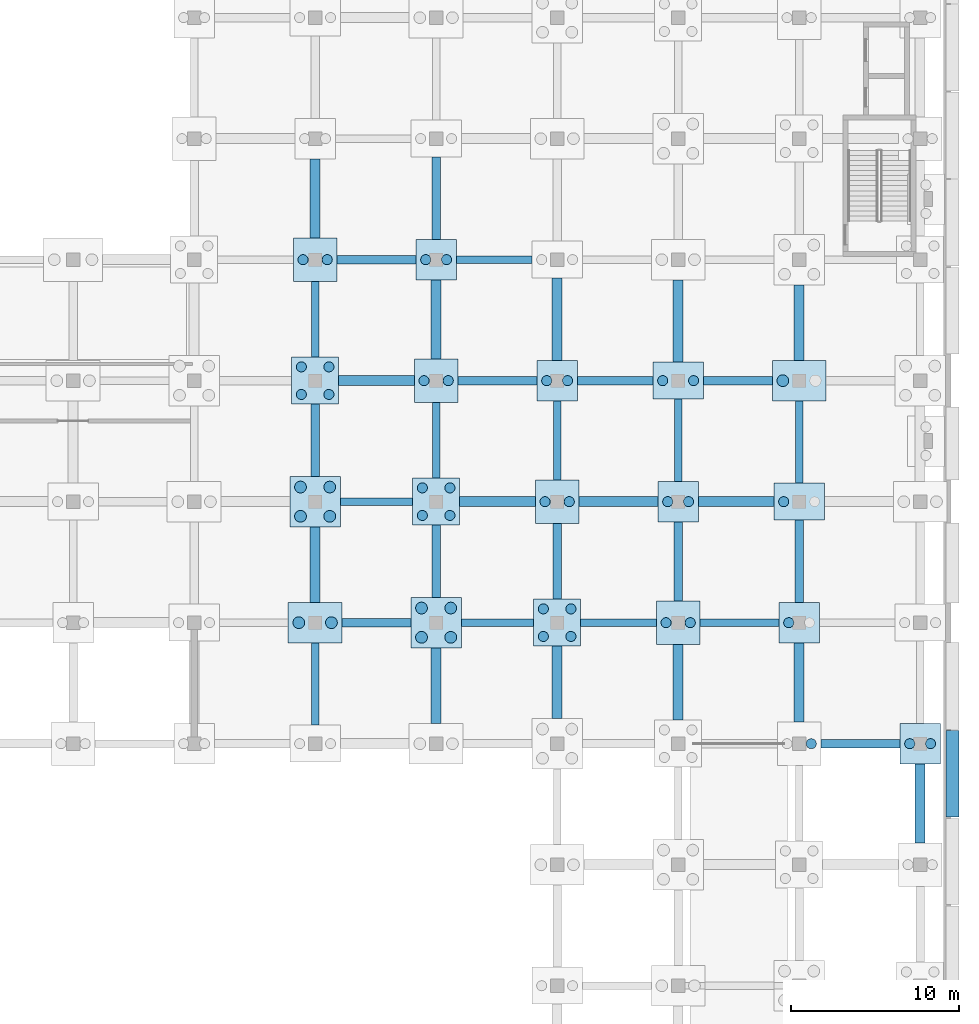
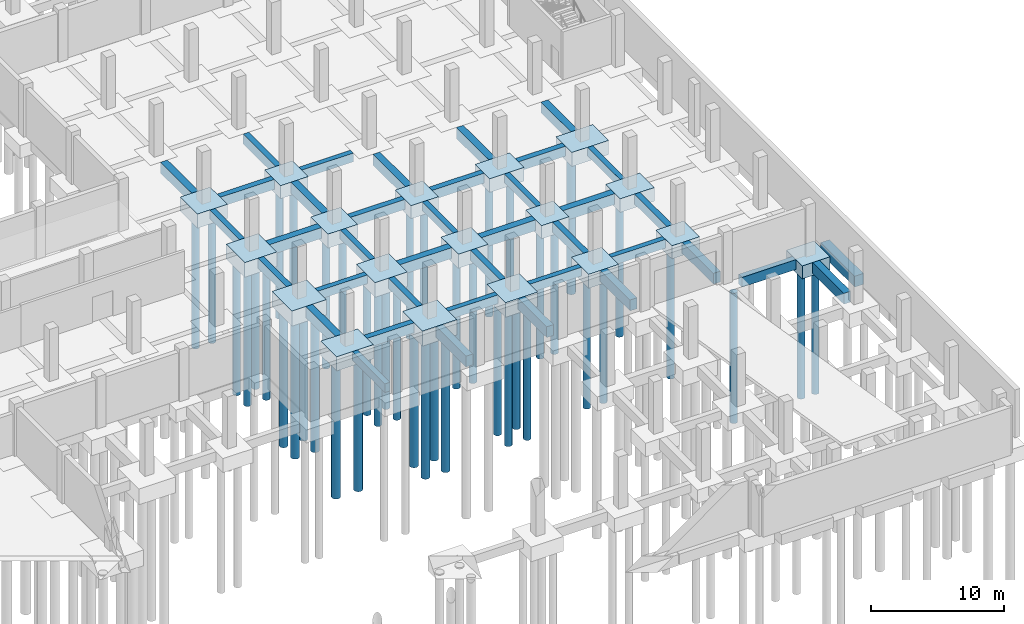
# One storey, part 12 of 38: 57 footings, 44 piles.
"""IFC4 building model written with IfcOpenShell, lengths in metres."""

from ifc_helpers import new_model, si_unit, direction, frame, origin, origin_2d, place, context, subcontext, project, spatial, rectangle, circle, extrude, material, material_profile, profile_set, type_object, element, save


model = new_model("IFC4")

# Units and contexts
model_context = context("Model", 3, precision=1e-05, world=origin(), true_north=direction((0.0, 1.0)))
body_context = subcontext(model_context, "Body", "Model", "MODEL_VIEW")
ifc_project = project(units=[si_unit("LENGTHUNIT", "METRE"), si_unit("AREAUNIT", "SQUARE_METRE"), si_unit("VOLUMEUNIT", "CUBIC_METRE"), si_unit("PLANEANGLEUNIT", "RADIAN"), si_unit("MASSUNIT", "GRAM", prefix="KILO")], contexts=[model_context])

# Site, building, storey
site_placement = place(None, origin())
site = spatial("IfcSite", under=ifc_project, at=site_placement, CompositionType="ELEMENT")
building_placement = place(site_placement, origin())
building = spatial("IfcBuilding", under=site, at=building_placement, Name="Valkovuoma Quantum and Materials Research Institute", CompositionType="ELEMENT")
storey_placement = place(building_placement, frame((0.0, 0.0, -4.800048828125)))
storey = spatial("IfcBuildingStorey", under=building, at=storey_placement, Name="B1", CompositionType="ELEMENT", Elevation=-4.800048828125)

# Footings
ifc_material_1 = material(Name="Concrete C35/45", Category="concrete")
footing_type_1 = type_object("IfcFootingType", Name="Cap-PC-03", PredefinedType="PILE_CAP", material=ifc_material_1)
for number, where, z_axis, x_axis, name in (
    (1, (136.800048828125, 57.60009765625, -1.19970703125), (0.0, 0.0, 1.0), (1.0, 0.0, 0.0), "B1 pile cap 20J"),
    (2, (144.0, 50.39990234375, -1.19970703125), (0.0, 0.0, 1.0), (1.0, 0.0, 0.0), "B1 pile cap 21H"),
    (3, (151.199951171875, 43.199951171875, -1.19970703125), (0.0, 0.0, 1.0), (1.0, 0.0, 0.0), "B1 pile cap 22G"),
    (4, (158.39990234375, 36.0, -1.19970703125), (0.0, 0.0, 1.0), (1.0, 0.0, 0.0), "B1 pile cap 23F"),
    (5, (165.60009765625, 28.800048828125, -1.19970703125), (0.0, 0.0, 1.0), (1.0, 0.0, 0.0), "B1 pile cap 24E"),
):
    element("IfcFooting", number, at=place(storey_placement, frame(where, z_axis=z_axis, x_axis=x_axis)), inside=storey, type_object=footing_type_1, Name=name, PredefinedType="PILE_CAP", context=body_context, shape_type="SweptSolid", body=[
        extrude(rectangle(XDim=2.39990234375, YDim=2.39990234375, at=origin_2d()), origin(), (0.0, 0.0, 1.0), 1.199951171875),
    ])
ifc_material_2 = material(Name="Concrete C35/45", Category="concrete")
footing_type_2 = type_object("IfcFootingType", Name="Cap-PC-04", PredefinedType="PILE_CAP", material=ifc_material_2)
for number, where, z_axis, x_axis, name in (
    (6, (129.60009765625, 57.60009765625, -1.2998046875), (0.0, 0.0, 1.0), (1.0, 0.0, 0.0), "B1 pile cap 19J"),
    (7, (136.800048828125, 50.39990234375, -1.2998046875), (0.0, 0.0, 1.0), (1.0, 0.0, 0.0), "B1 pile cap 20H"),
    (8, (144.0, 43.199951171875, -1.2998046875), (0.0, 0.0, 1.0), (1.0, 0.0, 0.0), "B1 pile cap 21G"),
    (9, (151.199951171875, 36.0, -1.2998046875), (0.0, 0.0, 1.0), (1.0, 0.0, 0.0), "B1 pile cap 22F"),
):
    element("IfcFooting", number, at=place(storey_placement, frame(where, z_axis=z_axis, x_axis=x_axis)), inside=storey, type_object=footing_type_2, Name=name, PredefinedType="PILE_CAP", context=body_context, shape_type="SweptSolid", body=[
        extrude(rectangle(XDim=2.60009765625, YDim=2.60009765625, at=origin_2d()), origin(), (0.0, 0.0, 1.0), 1.300048828125),
    ])
ifc_material_3 = material(Name="Concrete C35/45", Category="concrete")
footing_type_3 = type_object("IfcFootingType", Name="Cap-PC-05", PredefinedType="PILE_CAP", material=ifc_material_3)
for number, where, z_axis, x_axis, name in (
    (10, (129.60009765625, 50.39990234375, -1.35009765625), (0.0, 0.0, 1.0), (1.0, 0.0, 0.0), "B1 pile cap 19H"),
    (11, (136.800048828125, 43.199951171875, -1.35009765625), (0.0, 0.0, 1.0), (1.0, 0.0, 0.0), "B1 pile cap 20G"),
    (12, (144.0, 36.0, -1.35009765625), (0.0, 0.0, 1.0), (1.0, 0.0, 0.0), "B1 pile cap 21F"),
):
    element("IfcFooting", number, at=place(storey_placement, frame(where, z_axis=z_axis, x_axis=x_axis)), inside=storey, type_object=footing_type_3, Name=name, PredefinedType="PILE_CAP", context=body_context, shape_type="SweptSolid", body=[
        extrude(rectangle(XDim=2.800048828125, YDim=2.800048828125, at=origin_2d()), origin(), (0.0, 0.0, 1.0), 1.35009765625),
    ])
ifc_material_4 = material(Name="Concrete C35/45", Category="concrete")
footing_type_4 = type_object("IfcFootingType", Name="Cap-PC-06", PredefinedType="PILE_CAP", material=ifc_material_4)
for number, where, z_axis, x_axis, name in (
    (13, (129.60009765625, 43.199951171875, -1.39990234375), (0.0, 0.0, 1.0), (1.0, 0.0, 0.0), "B1 pile cap 19G"),
    (14, (136.800048828125, 36.0, -1.39990234375), (0.0, 0.0, 1.0), (1.0, 0.0, 0.0), "B1 pile cap 20F"),
):
    element("IfcFooting", number, at=place(storey_placement, frame(where, z_axis=z_axis, x_axis=x_axis)), inside=storey, type_object=footing_type_4, Name=name, PredefinedType="PILE_CAP", context=body_context, shape_type="SweptSolid", body=[
        extrude(rectangle(XDim=3.0, YDim=3.0, at=origin_2d()), origin(), (0.0, 0.0, 1.0), 1.39990234375),
    ])
ifc_material_5 = material(Name="Concrete C35/45", Category="concrete")
footing_type_5 = type_object("IfcFootingType", Name="Cap-PC-11", PredefinedType="PILE_CAP", material=ifc_material_5)
for number, where, z_axis, x_axis, name in (
    (15, (151.199951171875, 50.39990234375, -1.25), (0.0, 0.0, 1.0), (1.0, 0.0, 0.0), "B1 pile cap 22H"),
    (16, (158.39990234375, 43.199951171875, -1.25), (0.0, 0.0, 1.0), (1.0, 0.0, 0.0), "B1 pile cap 23G"),
):
    element("IfcFooting", number, at=place(storey_placement, frame(where, z_axis=z_axis, x_axis=x_axis)), inside=storey, type_object=footing_type_5, Name=name, PredefinedType="PILE_CAP", context=body_context, shape_type="SweptSolid", body=[
        extrude(rectangle(XDim=3.0, YDim=2.199951171875, at=origin_2d()), origin(), (0.0, 0.0, 1.0), 1.25),
    ])
ifc_material_6 = material(Name="Concrete C35/45", Category="concrete")
footing_type_6 = type_object("IfcFootingType", Name="Cap-PC-12", PredefinedType="PILE_CAP", material=ifc_material_6)
for number, where, z_axis, x_axis, name in (
    (17, (129.60009765625, 36.0, -1.2998046875), (0.0, 0.0, 1.0), (1.0, 0.0, 0.0), "B1 pile cap 19F"),
    (18, (158.39990234375, 50.39990234375, -1.2998046875), (0.0, 0.0, 1.0), (1.0, 0.0, 0.0), "B1 pile cap 23H"),
):
    element("IfcFooting", number, at=place(storey_placement, frame(where, z_axis=z_axis, x_axis=x_axis)), inside=storey, type_object=footing_type_6, Name=name, PredefinedType="PILE_CAP", context=body_context, shape_type="SweptSolid", body=[
        extrude(rectangle(XDim=3.199951171875, YDim=2.39990234375, at=origin_2d()), origin(), (0.0, 0.0, 1.0), 1.300048828125),
    ])
ifc_material_7 = material(Name="Concrete C35/45", Category="concrete")
footing_type_7 = type_object("IfcFootingType", Name="GndBeam-FB-01", PredefinedType="FOOTING_BEAM", material=ifc_material_7)
footing_1_placement = place(storey_placement, frame((129.60009765625, 32.35009765625, -0.7998046875), z_axis=(0.0, 0.0, 1.0), x_axis=(0.0, 1.0, 0.0)))
element("IfcFooting", 19, at=footing_1_placement, inside=storey, type_object=footing_type_7, Name="B1 ground tie beam Y-282", PredefinedType="FOOTING_BEAM", context=body_context, shape_type="SweptSolid", body=[
    extrude(rectangle(XDim=4.89990234375, YDim=0.449951171875, at=origin_2d()), origin(), (0.0, 0.0, 1.0), 0.800048828125),
])
footing_2_placement = place(storey_placement, frame((133.25, 43.199951171875, -0.7998046875), z_axis=(0.0, 0.0, 1.0), x_axis=(1.0, 0.0, 0.0)))
element("IfcFooting", 20, at=footing_2_placement, inside=storey, type_object=footing_type_7, Name="B1 ground tie beam X-285", PredefinedType="FOOTING_BEAM", context=body_context, shape_type="SweptSolid", body=[
    extrude(rectangle(XDim=4.300048828125, YDim=0.449951171875, at=origin_2d()), origin(), (0.0, 0.0, 1.0), 0.800048828125),
])
footing_3_placement = place(storey_placement, frame((129.60009765625, 54.050048828125, -0.7998046875), z_axis=(0.0, 0.0, 1.0), x_axis=(0.0, 1.0, 0.0)))
element("IfcFooting", 21, at=footing_3_placement, inside=storey, type_object=footing_type_7, Name="B1 ground tie beam Y-288", PredefinedType="FOOTING_BEAM", context=body_context, shape_type="SweptSolid", body=[
    extrude(rectangle(XDim=4.5, YDim=0.449951171875, at=origin_2d()), origin(), (0.0, 0.0, 1.0), 0.800048828125),
])
footing_4_placement = place(storey_placement, frame((140.449951171875, 36.0, -0.7998046875), z_axis=(0.0, 0.0, 1.0), x_axis=(1.0, 0.0, 0.0)))
element("IfcFooting", 22, at=footing_4_placement, inside=storey, type_object=footing_type_7, Name="B1 ground tie beam X-309", PredefinedType="FOOTING_BEAM", context=body_context, shape_type="SweptSolid", body=[
    extrude(rectangle(XDim=4.300048828125, YDim=0.449951171875, at=origin_2d()), origin(), (0.0, 0.0, 1.0), 0.800048828125),
])
for number, where, z_axis, x_axis, name in (
    (23, (136.800048828125, 46.85009765625, -0.7998046875), (0.0, 0.0, 1.0), (0.0, 1.0, 0.0), "B1 ground tie beam Y-312"),
    (24, (140.25, 57.60009765625, -0.7998046875), (0.0, 0.0, 1.0), (1.0, 0.0, 0.0), "B1 ground tie beam X-315"),
    (25, (147.64990234375, 36.0, -0.7998046875), (0.0, 0.0, 1.0), (1.0, 0.0, 0.0), "B1 ground tie beam X-342"),
):
    element("IfcFooting", number, at=place(storey_placement, frame(where, z_axis=z_axis, x_axis=x_axis)), inside=storey, type_object=footing_type_7, Name=name, PredefinedType="FOOTING_BEAM", context=body_context, shape_type="SweptSolid", body=[
        extrude(rectangle(XDim=4.5, YDim=0.449951171875, at=origin_2d()), origin(), (0.0, 0.0, 1.0), 0.800048828125),
    ])
for number, where, z_axis, x_axis, name in (
    (26, (144.0, 46.85009765625, -0.7998046875), (0.0, 0.0, 1.0), (0.0, 1.0, 0.0), "B1 ground tie beam Y-345"),
    (27, (154.85009765625, 36.0, -0.7998046875), (0.0, 0.0, 1.0), (1.0, 0.0, 0.0), "B1 ground tie beam X-375"),
):
    element("IfcFooting", number, at=place(storey_placement, frame(where, z_axis=z_axis, x_axis=x_axis)), inside=storey, type_object=footing_type_7, Name=name, PredefinedType="FOOTING_BEAM", context=body_context, shape_type="SweptSolid", body=[
        extrude(rectangle(XDim=4.699951171875, YDim=0.449951171875, at=origin_2d()), origin(), (0.0, 0.0, 1.0), 0.800048828125),
    ])
for number, where, z_axis, x_axis, name in (
    (28, (151.199951171875, 46.85009765625, -0.7998046875), (0.0, 0.0, 1.0), (0.0, 1.0, 0.0), "B1 ground tie beam Y-378"),
    (29, (158.39990234375, 46.75, -0.7998046875), (0.0, 0.0, 1.0), (0.0, 1.0, 0.0), "B1 ground tie beam Y-411"),
):
    element("IfcFooting", number, at=place(storey_placement, frame(where, z_axis=z_axis, x_axis=x_axis)), inside=storey, type_object=footing_type_7, Name=name, PredefinedType="FOOTING_BEAM", context=body_context, shape_type="SweptSolid", body=[
        extrude(rectangle(XDim=4.89990234375, YDim=0.449951171875, at=origin_2d()), origin(), (0.0, 0.0, 1.0), 0.800048828125),
    ])
ifc_material_8 = material(Name="Concrete C35/45", Category="concrete")
footing_type_8 = type_object("IfcFootingType", Name="GndBeam-FB-02", PredefinedType="FOOTING_BEAM", material=ifc_material_8)
footing_5_placement = place(storey_placement, frame((133.25, 36.0, -0.89990234375), z_axis=(0.0, 0.0, 1.0), x_axis=(1.0, 0.0, 0.0)))
element("IfcFooting", 30, at=footing_5_placement, inside=storey, type_object=footing_type_8, Name="B1 ground tie beam X-283", PredefinedType="FOOTING_BEAM", context=body_context, shape_type="SweptSolid", body=[
    extrude(rectangle(XDim=4.10009765625, YDim=0.5, at=origin_2d()), origin(), (0.0, 0.0, 1.0), 0.89990234375),
])
footing_6_placement = place(storey_placement, frame((129.60009765625, 46.85009765625, -0.89990234375), z_axis=(0.0, 0.0, 1.0), x_axis=(0.0, 1.0, 0.0)))
element("IfcFooting", 31, at=footing_6_placement, inside=storey, type_object=footing_type_8, Name="B1 ground tie beam Y-286", PredefinedType="FOOTING_BEAM", context=body_context, shape_type="SweptSolid", body=[
    extrude(rectangle(XDim=4.300048828125, YDim=0.5, at=origin_2d()), origin(), (0.0, 0.0, 1.0), 0.89990234375),
])
footing_7_placement = place(storey_placement, frame((133.25, 57.60009765625, -0.89990234375), z_axis=(0.0, 0.0, 1.0), x_axis=(1.0, 0.0, 0.0)))
element("IfcFooting", 32, at=footing_7_placement, inside=storey, type_object=footing_type_8, Name="B1 ground tie beam X-289", PredefinedType="FOOTING_BEAM", context=body_context, shape_type="SweptSolid", body=[
    extrude(rectangle(XDim=4.699951171875, YDim=0.5, at=origin_2d()), origin(), (0.0, 0.0, 1.0), 0.89990234375),
])
footing_8_placement = place(storey_placement, frame((136.800048828125, 39.64990234375, -0.89990234375), z_axis=(0.0, 0.0, 1.0), x_axis=(0.0, 1.0, 0.0)))
element("IfcFooting", 33, at=footing_8_placement, inside=storey, type_object=footing_type_8, Name="B1 ground tie beam Y-310", PredefinedType="FOOTING_BEAM", context=body_context, shape_type="SweptSolid", body=[
    extrude(rectangle(XDim=4.300048828125, YDim=0.5, at=origin_2d()), origin(), (0.0, 0.0, 1.0), 0.89990234375),
])
footing_9_placement = place(storey_placement, frame((140.449951171875, 50.39990234375, -0.89990234375), z_axis=(0.0, 0.0, 1.0), x_axis=(1.0, 0.0, 0.0)))
element("IfcFooting", 34, at=footing_9_placement, inside=storey, type_object=footing_type_8, Name="B1 ground tie beam X-313", PredefinedType="FOOTING_BEAM", context=body_context, shape_type="SweptSolid", body=[
    extrude(rectangle(XDim=4.699951171875, YDim=0.5, at=origin_2d()), origin(), (0.0, 0.0, 1.0), 0.89990234375),
])
footing_10_placement = place(storey_placement, frame((136.800048828125, 61.25, -0.89990234375), z_axis=(0.0, 0.0, 1.0), x_axis=(0.0, 1.0, 0.0)))
element("IfcFooting", 35, at=footing_10_placement, inside=storey, type_object=footing_type_8, Name="B1 ground tie beam Y-316", PredefinedType="FOOTING_BEAM", context=body_context, shape_type="SweptSolid", body=[
    extrude(rectangle(XDim=4.89990234375, YDim=0.5, at=origin_2d()), origin(), (0.0, 0.0, 1.0), 0.89990234375),
])
for number, where, z_axis, x_axis, name in (
    (36, (144.0, 39.64990234375, -0.89990234375), (0.0, 0.0, 1.0), (0.0, 1.0, 0.0), "B1 ground tie beam Y-343"),
    (37, (147.449951171875, 50.39990234375, -0.89990234375), (0.0, 0.0, 1.0), (1.0, 0.0, 0.0), "B1 ground tie beam X-346"),
):
    element("IfcFooting", number, at=place(storey_placement, frame(where, z_axis=z_axis, x_axis=x_axis)), inside=storey, type_object=footing_type_8, Name=name, PredefinedType="FOOTING_BEAM", context=body_context, shape_type="SweptSolid", body=[
        extrude(rectangle(XDim=4.5, YDim=0.5, at=origin_2d()), origin(), (0.0, 0.0, 1.0), 0.89990234375),
    ])
footing_11_placement = place(storey_placement, frame((151.199951171875, 39.64990234375, -0.89990234375), z_axis=(0.0, 0.0, 1.0), x_axis=(0.0, 1.0, 0.0)))
element("IfcFooting", 38, at=footing_11_placement, inside=storey, type_object=footing_type_8, Name="B1 ground tie beam Y-376", PredefinedType="FOOTING_BEAM", context=body_context, shape_type="SweptSolid", body=[
    extrude(rectangle(XDim=4.699951171875, YDim=0.5, at=origin_2d()), origin(), (0.0, 0.0, 1.0), 0.89990234375),
])
footing_12_placement = place(storey_placement, frame((154.75, 50.39990234375, -0.89990234375), z_axis=(0.0, 0.0, 1.0), x_axis=(1.0, 0.0, 0.0)))
element("IfcFooting", 39, at=footing_12_placement, inside=storey, type_object=footing_type_8, Name="B1 ground tie beam X-379", PredefinedType="FOOTING_BEAM", context=body_context, shape_type="SweptSolid", body=[
    extrude(rectangle(XDim=4.10009765625, YDim=0.5, at=origin_2d()), origin(), (0.0, 0.0, 1.0), 0.89990234375),
])
footing_13_placement = place(storey_placement, frame((162.050048828125, 28.800048828125, -0.89990234375), z_axis=(0.0, 0.0, 1.0), x_axis=(1.0, 0.0, 0.0)))
element("IfcFooting", 40, at=footing_13_placement, inside=storey, type_object=footing_type_8, Name="B1 ground tie beam X-406", PredefinedType="FOOTING_BEAM", context=body_context, shape_type="SweptSolid", body=[
    extrude(rectangle(XDim=4.699951171875, YDim=0.5, at=origin_2d()), origin(), (0.0, 0.0, 1.0), 0.89990234375),
])
footing_14_placement = place(storey_placement, frame((158.39990234375, 39.64990234375, -0.89990234375), z_axis=(0.0, 0.0, 1.0), x_axis=(0.0, 1.0, 0.0)))
element("IfcFooting", 41, at=footing_14_placement, inside=storey, type_object=footing_type_8, Name="B1 ground tie beam Y-409", PredefinedType="FOOTING_BEAM", context=body_context, shape_type="SweptSolid", body=[
    extrude(rectangle(XDim=4.89990234375, YDim=0.5, at=origin_2d()), origin(), (0.0, 0.0, 1.0), 0.89990234375),
])
ifc_material_9 = material(Name="Concrete C35/45", Category="concrete")
footing_type_9 = type_object("IfcFootingType", Name="GndBeam-FB-03", PredefinedType="FOOTING_BEAM", material=ifc_material_9)
for number, where, z_axis, x_axis, name in (
    (42, (129.60009765625, 39.449951171875, -1.0), (0.0, 0.0, 1.0), (0.0, 1.0, 0.0), "B1 ground tie beam Y-284"),
    (43, (133.25, 50.39990234375, -1.0), (0.0, 0.0, 1.0), (1.0, 0.0, 0.0), "B1 ground tie beam X-287"),
):
    element("IfcFooting", number, at=place(storey_placement, frame(where, z_axis=z_axis, x_axis=x_axis)), inside=storey, type_object=footing_type_9, Name=name, PredefinedType="FOOTING_BEAM", context=body_context, shape_type="SweptSolid", body=[
        extrude(rectangle(XDim=4.5, YDim=0.60009765625, at=origin_2d()), origin(), (0.0, 0.0, 1.0), 1.0),
    ])
footing_15_placement = place(storey_placement, frame((129.60009765625, 61.25, -1.0), z_axis=(0.0, 0.0, 1.0), x_axis=(0.0, 1.0, 0.0)))
element("IfcFooting", 44, at=footing_15_placement, inside=storey, type_object=footing_type_9, Name="B1 ground tie beam Y-290", PredefinedType="FOOTING_BEAM", context=body_context, shape_type="SweptSolid", body=[
    extrude(rectangle(XDim=4.699951171875, YDim=0.60009765625, at=origin_2d()), origin(), (0.0, 0.0, 1.0), 1.0),
])
for number, where, z_axis, x_axis, name in (
    (45, (136.800048828125, 32.25, -1.0), (0.0, 0.0, 1.0), (0.0, 1.0, 0.0), "B1 ground tie beam Y-308"),
    (46, (140.449951171875, 43.199951171875, -1.0), (0.0, 0.0, 1.0), (1.0, 0.0, 0.0), "B1 ground tie beam X-311"),
):
    element("IfcFooting", number, at=place(storey_placement, frame(where, z_axis=z_axis, x_axis=x_axis)), inside=storey, type_object=footing_type_9, Name=name, PredefinedType="FOOTING_BEAM", context=body_context, shape_type="SweptSolid", body=[
        extrude(rectangle(XDim=4.5, YDim=0.60009765625, at=origin_2d()), origin(), (0.0, 0.0, 1.0), 1.0),
    ])
footing_16_placement = place(storey_placement, frame((136.800048828125, 54.050048828125, -1.0), z_axis=(0.0, 0.0, 1.0), x_axis=(0.0, 1.0, 0.0)))
element("IfcFooting", 47, at=footing_16_placement, inside=storey, type_object=footing_type_9, Name="B1 ground tie beam Y-314", PredefinedType="FOOTING_BEAM", context=body_context, shape_type="SweptSolid", body=[
    extrude(rectangle(XDim=4.699951171875, YDim=0.60009765625, at=origin_2d()), origin(), (0.0, 0.0, 1.0), 1.0),
])
footing_17_placement = place(storey_placement, frame((144.0, 32.449951171875, -1.0), z_axis=(0.0, 0.0, 1.0), x_axis=(0.0, 1.0, 0.0)))
element("IfcFooting", 48, at=footing_17_placement, inside=storey, type_object=footing_type_9, Name="B1 ground tie beam Y-341", PredefinedType="FOOTING_BEAM", context=body_context, shape_type="SweptSolid", body=[
    extrude(rectangle(XDim=4.300048828125, YDim=0.60009765625, at=origin_2d()), origin(), (0.0, 0.0, 1.0), 1.0),
])
footing_18_placement = place(storey_placement, frame((147.64990234375, 43.199951171875, -1.0), z_axis=(0.0, 0.0, 1.0), x_axis=(1.0, 0.0, 0.0)))
element("IfcFooting", 49, at=footing_18_placement, inside=storey, type_object=footing_type_9, Name="B1 ground tie beam X-344", PredefinedType="FOOTING_BEAM", context=body_context, shape_type="SweptSolid", body=[
    extrude(rectangle(XDim=4.699951171875, YDim=0.60009765625, at=origin_2d()), origin(), (0.0, 0.0, 1.0), 1.0),
])
footing_19_placement = place(storey_placement, frame((144.0, 54.050048828125, -1.0), z_axis=(0.0, 0.0, 1.0), x_axis=(0.0, 1.0, 0.0)))
element("IfcFooting", 50, at=footing_19_placement, inside=storey, type_object=footing_type_9, Name="B1 ground tie beam Y-347", PredefinedType="FOOTING_BEAM", context=body_context, shape_type="SweptSolid", body=[
    extrude(rectangle(XDim=4.89990234375, YDim=0.60009765625, at=origin_2d()), origin(), (0.0, 0.0, 1.0), 1.0),
])
for number, where, z_axis, x_axis, name in (
    (51, (151.199951171875, 32.449951171875, -1.0), (0.0, 0.0, 1.0), (0.0, 1.0, 0.0), "B1 ground tie beam Y-374"),
    (52, (154.64990234375, 43.199951171875, -1.0), (0.0, 0.0, 1.0), (1.0, 0.0, 0.0), "B1 ground tie beam X-377"),
):
    element("IfcFooting", number, at=place(storey_placement, frame(where, z_axis=z_axis, x_axis=x_axis)), inside=storey, type_object=footing_type_9, Name=name, PredefinedType="FOOTING_BEAM", context=body_context, shape_type="SweptSolid", body=[
        extrude(rectangle(XDim=4.5, YDim=0.60009765625, at=origin_2d()), origin(), (0.0, 0.0, 1.0), 1.0),
    ])
footing_20_placement = place(storey_placement, frame((151.199951171875, 53.949951171875, -1.0), z_axis=(0.0, 0.0, 1.0), x_axis=(0.0, 1.0, 0.0)))
element("IfcFooting", 53, at=footing_20_placement, inside=storey, type_object=footing_type_9, Name="B1 ground tie beam Y-380", PredefinedType="FOOTING_BEAM", context=body_context, shape_type="SweptSolid", body=[
    extrude(rectangle(XDim=4.89990234375, YDim=0.60009765625, at=origin_2d()), origin(), (0.0, 0.0, 1.0), 1.0),
])
footing_21_placement = place(storey_placement, frame((158.39990234375, 32.449951171875, -1.0), z_axis=(0.0, 0.0, 1.0), x_axis=(0.0, 1.0, 0.0)))
element("IfcFooting", 54, at=footing_21_placement, inside=storey, type_object=footing_type_9, Name="B1 ground tie beam Y-407", PredefinedType="FOOTING_BEAM", context=body_context, shape_type="SweptSolid", body=[
    extrude(rectangle(XDim=4.699951171875, YDim=0.60009765625, at=origin_2d()), origin(), (0.0, 0.0, 1.0), 1.0),
])
footing_22_placement = place(storey_placement, frame((158.39990234375, 53.85009765625, -1.0), z_axis=(0.0, 0.0, 1.0), x_axis=(0.0, 1.0, 0.0)))
element("IfcFooting", 55, at=footing_22_placement, inside=storey, type_object=footing_type_9, Name="B1 ground tie beam Y-413", PredefinedType="FOOTING_BEAM", context=body_context, shape_type="SweptSolid", body=[
    extrude(rectangle(XDim=4.5, YDim=0.60009765625, at=origin_2d()), origin(), (0.0, 0.0, 1.0), 1.0),
])
footing_23_placement = place(storey_placement, frame((165.60009765625, 25.25, -1.0), z_axis=(0.0, 0.0, 1.0), x_axis=(0.0, 1.0, 0.0)))
element("IfcFooting", 56, at=footing_23_placement, inside=storey, type_object=footing_type_9, Name="B1 ground tie beam Y-434", PredefinedType="FOOTING_BEAM", context=body_context, shape_type="SweptSolid", body=[
    extrude(rectangle(XDim=4.699951171875, YDim=0.60009765625, at=origin_2d()), origin(), (0.0, 0.0, 1.0), 1.0),
])
ifc_material_10 = material(Name="Concrete C35/45", Category="concrete")
footing_type_10 = type_object("IfcFootingType", Name="Pad-PF-04", PredefinedType="PAD_FOOTING", material=ifc_material_10)
footing_24_placement = place(storey_placement, frame((167.52001953125, 27.008056640625, -1.0), z_axis=(0.0, 0.0, 1.0), x_axis=(0.0, 1.0, 0.0)))
element("IfcFooting", 57, at=footing_24_placement, inside=storey, type_object=footing_type_10, Name="B1 retaining wall pad footing 019", PredefinedType="PAD_FOOTING", context=body_context, shape_type="SweptSolid", body=[
    extrude(rectangle(XDim=5.1279296875, YDim=0.760009765625, at=origin_2d()), origin(), (0.0, 0.0, 1.0), 1.0),
])

# Piles
ifc_material_11 = material(Name="Concrete C40/50", Category="concrete")
ifc_material_profile_1 = material_profile(ifc_material_11, circle(Radius=0.300048828125, at=origin_2d()), Name="Concrete C40/50")
ifc_profile_set_1 = profile_set([ifc_material_profile_1], Name="Concrete C40/50")
pile_type_1 = type_object("IfcPileType", Name="Pile-PL-B600", PredefinedType="BORED", material=ifc_profile_set_1)
for number, where, z_axis, x_axis, name in (
    (58, (128.780029296875, 49.580078125, -1.25), (0.0, 0.0, -1.0), (1.0, 0.0, 0.0), "B1 pile 19H-1"),
    (59, (130.419921875, 49.580078125, -1.25), (0.0, 0.0, -1.0), (1.0, 0.0, 0.0), "B1 pile 19H-2"),
    (60, (128.780029296875, 51.219970703125, -1.25), (0.0, 0.0, -1.0), (1.0, 0.0, 0.0), "B1 pile 19H-3"),
    (61, (130.419921875, 51.219970703125, -1.25), (0.0, 0.0, -1.0), (1.0, 0.0, 0.0), "B1 pile 19H-4"),
):
    element("IfcPile", number, at=place(storey_placement, frame(where, z_axis=z_axis, x_axis=x_axis)), inside=storey, type_object=pile_type_1, Name=name, PredefinedType="BORED", context=body_context, shape_type="SweptSolid", body=[
        extrude(circle(Radius=0.300048828125, at=origin_2d()), origin(), (0.0, 0.0, 1.0), 12.35009765625),
    ])
for number, where, z_axis, x_axis, name in (
    (62, (128.8798828125, 57.60009765625, -1.199951171875), (0.0, 0.0, -1.0), (1.0, 0.0, 0.0), "B1 pile 19J-1"),
    (63, (130.320068359375, 57.60009765625, -1.199951171875), (0.0, 0.0, -1.0), (1.0, 0.0, 0.0), "B1 pile 19J-2"),
):
    element("IfcPile", number, at=place(storey_placement, frame(where, z_axis=z_axis, x_axis=x_axis)), inside=storey, type_object=pile_type_1, Name=name, PredefinedType="BORED", context=body_context, shape_type="SweptSolid", body=[
        extrude(circle(Radius=0.300048828125, at=origin_2d()), origin(), (0.0, 0.0, 1.0), 12.0),
    ])
for number, where, z_axis, x_axis, name in (
    (64, (135.97998046875, 42.3798828125, -1.25), (0.0, 0.0, -1.0), (1.0, 0.0, 0.0), "B1 pile 20G-1"),
    (65, (137.6201171875, 42.3798828125, -1.25), (0.0, 0.0, -1.0), (1.0, 0.0, 0.0), "B1 pile 20G-2"),
    (66, (135.97998046875, 44.02001953125, -1.25), (0.0, 0.0, -1.0), (1.0, 0.0, 0.0), "B1 pile 20G-3"),
    (67, (137.6201171875, 44.02001953125, -1.25), (0.0, 0.0, -1.0), (1.0, 0.0, 0.0), "B1 pile 20G-4"),
):
    element("IfcPile", number, at=place(storey_placement, frame(where, z_axis=z_axis, x_axis=x_axis)), inside=storey, type_object=pile_type_1, Name=name, PredefinedType="BORED", context=body_context, shape_type="SweptSolid", body=[
        extrude(circle(Radius=0.300048828125, at=origin_2d()), origin(), (0.0, 0.0, 1.0), 12.35009765625),
    ])
for number, where, z_axis, x_axis, name in (
    (68, (136.080078125, 50.39990234375, -1.199951171875), (0.0, 0.0, -1.0), (1.0, 0.0, 0.0), "B1 pile 20H-1"),
    (69, (137.52001953125, 50.39990234375, -1.199951171875), (0.0, 0.0, -1.0), (1.0, 0.0, 0.0), "B1 pile 20H-2"),
):
    element("IfcPile", number, at=place(storey_placement, frame(where, z_axis=z_axis, x_axis=x_axis)), inside=storey, type_object=pile_type_1, Name=name, PredefinedType="BORED", context=body_context, shape_type="SweptSolid", body=[
        extrude(circle(Radius=0.300048828125, at=origin_2d()), origin(), (0.0, 0.0, 1.0), 12.0),
    ])
for number, where, z_axis, x_axis, name in (
    (70, (136.179931640625, 57.60009765625, -1.099853515625), (0.0, 0.0, -1.0), (1.0, 0.0, 0.0), "B1 pile 20J-1"),
    (71, (137.419921875, 57.60009765625, -1.099853515625), (0.0, 0.0, -1.0), (1.0, 0.0, 0.0), "B1 pile 20J-2"),
):
    element("IfcPile", number, at=place(storey_placement, frame(where, z_axis=z_axis, x_axis=x_axis)), inside=storey, type_object=pile_type_1, Name=name, PredefinedType="BORED", context=body_context, shape_type="SweptSolid", body=[
        extrude(circle(Radius=0.300048828125, at=origin_2d()), origin(), (0.0, 0.0, 1.0), 11.89990234375),
    ])
for number, where, z_axis, x_axis, name in (
    (72, (143.179931640625, 35.179931640625, -1.25), (0.0, 0.0, -1.0), (1.0, 0.0, 0.0), "B1 pile 21F-1"),
    (73, (144.820068359375, 35.179931640625, -1.25), (0.0, 0.0, -1.0), (1.0, 0.0, 0.0), "B1 pile 21F-2"),
    (74, (143.179931640625, 36.820068359375, -1.25), (0.0, 0.0, -1.0), (1.0, 0.0, 0.0), "B1 pile 21F-3"),
    (75, (144.820068359375, 36.820068359375, -1.25), (0.0, 0.0, -1.0), (1.0, 0.0, 0.0), "B1 pile 21F-4"),
):
    element("IfcPile", number, at=place(storey_placement, frame(where, z_axis=z_axis, x_axis=x_axis)), inside=storey, type_object=pile_type_1, Name=name, PredefinedType="BORED", context=body_context, shape_type="SweptSolid", body=[
        extrude(circle(Radius=0.300048828125, at=origin_2d()), origin(), (0.0, 0.0, 1.0), 12.35009765625),
    ])
for number, where, z_axis, x_axis, name in (
    (76, (143.280029296875, 43.199951171875, -1.199951171875), (0.0, 0.0, -1.0), (1.0, 0.0, 0.0), "B1 pile 21G-1"),
    (77, (144.719970703125, 43.199951171875, -1.199951171875), (0.0, 0.0, -1.0), (1.0, 0.0, 0.0), "B1 pile 21G-2"),
):
    element("IfcPile", number, at=place(storey_placement, frame(where, z_axis=z_axis, x_axis=x_axis)), inside=storey, type_object=pile_type_1, Name=name, PredefinedType="BORED", context=body_context, shape_type="SweptSolid", body=[
        extrude(circle(Radius=0.300048828125, at=origin_2d()), origin(), (0.0, 0.0, 1.0), 12.0),
    ])
for number, where, z_axis, x_axis, name in (
    (78, (143.3798828125, 50.39990234375, -1.099853515625), (0.0, 0.0, -1.0), (1.0, 0.0, 0.0), "B1 pile 21H-1"),
    (79, (144.6201171875, 50.39990234375, -1.099853515625), (0.0, 0.0, -1.0), (1.0, 0.0, 0.0), "B1 pile 21H-2"),
):
    element("IfcPile", number, at=place(storey_placement, frame(where, z_axis=z_axis, x_axis=x_axis)), inside=storey, type_object=pile_type_1, Name=name, PredefinedType="BORED", context=body_context, shape_type="SweptSolid", body=[
        extrude(circle(Radius=0.300048828125, at=origin_2d()), origin(), (0.0, 0.0, 1.0), 11.89990234375),
    ])
for number, where, z_axis, x_axis, name in (
    (80, (150.47998046875, 36.0, -1.199951171875), (0.0, 0.0, -1.0), (1.0, 0.0, 0.0), "B1 pile 22F-1"),
    (81, (151.919921875, 36.0, -1.199951171875), (0.0, 0.0, -1.0), (1.0, 0.0, 0.0), "B1 pile 22F-2"),
):
    element("IfcPile", number, at=place(storey_placement, frame(where, z_axis=z_axis, x_axis=x_axis)), inside=storey, type_object=pile_type_1, Name=name, PredefinedType="BORED", context=body_context, shape_type="SweptSolid", body=[
        extrude(circle(Radius=0.300048828125, at=origin_2d()), origin(), (0.0, 0.0, 1.0), 12.0),
    ])
for number, where, z_axis, x_axis, name in (
    (82, (150.580078125, 43.199951171875, -1.099853515625), (0.0, 0.0, -1.0), (1.0, 0.0, 0.0), "B1 pile 22G-1"),
    (83, (151.820068359375, 43.199951171875, -1.099853515625), (0.0, 0.0, -1.0), (1.0, 0.0, 0.0), "B1 pile 22G-2"),
):
    element("IfcPile", number, at=place(storey_placement, frame(where, z_axis=z_axis, x_axis=x_axis)), inside=storey, type_object=pile_type_1, Name=name, PredefinedType="BORED", context=body_context, shape_type="SweptSolid", body=[
        extrude(circle(Radius=0.300048828125, at=origin_2d()), origin(), (0.0, 0.0, 1.0), 11.89990234375),
    ])
for number, where, z_axis, x_axis, name in (
    (84, (150.280029296875, 50.39990234375, -1.14990234375), (0.0, 0.0, -1.0), (1.0, 0.0, 0.0), "B1 pile 22H-1"),
    (85, (152.1201171875, 50.39990234375, -1.14990234375), (0.0, 0.0, -1.0), (1.0, 0.0, 0.0), "B1 pile 22H-2"),
):
    element("IfcPile", number, at=place(storey_placement, frame(where, z_axis=z_axis, x_axis=x_axis)), inside=storey, type_object=pile_type_1, Name=name, PredefinedType="BORED", context=body_context, shape_type="SweptSolid", body=[
        extrude(circle(Radius=0.300048828125, at=origin_2d()), origin(), (0.0, 0.0, 1.0), 12.25),
    ])
pile_1_placement = place(storey_placement, frame((159.1201171875, 28.800048828125, -1.199951171875), z_axis=(0.0, 0.0, -1.0), x_axis=(1.0, 0.0, 0.0)))
element("IfcPile", 86, at=pile_1_placement, inside=storey, type_object=pile_type_1, Name="B1 pile 23E-2", PredefinedType="BORED", context=body_context, shape_type="SweptSolid", body=[
    extrude(circle(Radius=0.300048828125, at=origin_2d()), origin(), (0.0, 0.0, 1.0), 12.0),
])
pile_2_placement = place(storey_placement, frame((157.780029296875, 36.0, -1.099853515625), z_axis=(0.0, 0.0, -1.0), x_axis=(1.0, 0.0, 0.0)))
element("IfcPile", 87, at=pile_2_placement, inside=storey, type_object=pile_type_1, Name="B1 pile 23F-1", PredefinedType="BORED", context=body_context, shape_type="SweptSolid", body=[
    extrude(circle(Radius=0.300048828125, at=origin_2d()), origin(), (0.0, 0.0, 1.0), 11.89990234375),
])
pile_3_placement = place(storey_placement, frame((157.47998046875, 43.199951171875, -1.14990234375), z_axis=(0.0, 0.0, -1.0), x_axis=(1.0, 0.0, 0.0)))
element("IfcPile", 88, at=pile_3_placement, inside=storey, type_object=pile_type_1, Name="B1 pile 23G-1", PredefinedType="BORED", context=body_context, shape_type="SweptSolid", body=[
    extrude(circle(Radius=0.300048828125, at=origin_2d()), origin(), (0.0, 0.0, 1.0), 12.25),
])
for number, where, z_axis, x_axis, name in (
    (89, (164.97998046875, 28.800048828125, -1.099853515625), (0.0, 0.0, -1.0), (1.0, 0.0, 0.0), "B1 pile 24E-1"),
    (90, (166.219970703125, 28.800048828125, -1.099853515625), (0.0, 0.0, -1.0), (1.0, 0.0, 0.0), "B1 pile 24E-2"),
):
    element("IfcPile", number, at=place(storey_placement, frame(where, z_axis=z_axis, x_axis=x_axis)), inside=storey, type_object=pile_type_1, Name=name, PredefinedType="BORED", context=body_context, shape_type="SweptSolid", body=[
        extrude(circle(Radius=0.300048828125, at=origin_2d()), origin(), (0.0, 0.0, 1.0), 11.89990234375),
    ])
ifc_material_12 = material(Name="Concrete C40/50", Category="concrete")
ifc_material_profile_2 = material_profile(ifc_material_12, circle(Radius=0.35009765625, at=origin_2d()), Name="Concrete C40/50")
ifc_profile_set_2 = profile_set([ifc_material_profile_2], Name="Concrete C40/50")
pile_type_2 = type_object("IfcPileType", Name="Pile-PL-B700", PredefinedType="BORED", material=ifc_profile_set_2)
for number, where, z_axis, x_axis, name in (
    (91, (128.6298828125, 36.0, -1.199951171875), (0.0, 0.0, -1.0), (1.0, 0.0, 0.0), "B1 pile 19F-1"),
    (92, (130.570068359375, 36.0, -1.199951171875), (0.0, 0.0, -1.0), (1.0, 0.0, 0.0), "B1 pile 19F-2"),
):
    element("IfcPile", number, at=place(storey_placement, frame(where, z_axis=z_axis, x_axis=x_axis)), inside=storey, type_object=pile_type_2, Name=name, PredefinedType="BORED", context=body_context, shape_type="SweptSolid", body=[
        extrude(circle(Radius=0.35009765625, at=origin_2d()), origin(), (0.0, 0.0, 1.0), 12.60009765625),
    ])
for number, where, z_axis, x_axis, name in (
    (93, (128.72998046875, 42.330078125, -1.300048828125), (0.0, 0.0, -1.0), (1.0, 0.0, 0.0), "B1 pile 19G-1"),
    (94, (130.469970703125, 42.330078125, -1.300048828125), (0.0, 0.0, -1.0), (1.0, 0.0, 0.0), "B1 pile 19G-2"),
    (95, (128.72998046875, 44.070068359375, -1.300048828125), (0.0, 0.0, -1.0), (1.0, 0.0, 0.0), "B1 pile 19G-3"),
    (96, (130.469970703125, 44.070068359375, -1.300048828125), (0.0, 0.0, -1.0), (1.0, 0.0, 0.0), "B1 pile 19G-4"),
    (97, (135.929931640625, 35.1298828125, -1.300048828125), (0.0, 0.0, -1.0), (1.0, 0.0, 0.0), "B1 pile 20F-1"),
    (98, (137.669921875, 35.1298828125, -1.300048828125), (0.0, 0.0, -1.0), (1.0, 0.0, 0.0), "B1 pile 20F-2"),
    (99, (135.929931640625, 36.8701171875, -1.300048828125), (0.0, 0.0, -1.0), (1.0, 0.0, 0.0), "B1 pile 20F-3"),
    (100, (137.669921875, 36.8701171875, -1.300048828125), (0.0, 0.0, -1.0), (1.0, 0.0, 0.0), "B1 pile 20F-4"),
):
    element("IfcPile", number, at=place(storey_placement, frame(where, z_axis=z_axis, x_axis=x_axis)), inside=storey, type_object=pile_type_2, Name=name, PredefinedType="BORED", context=body_context, shape_type="SweptSolid", body=[
        extrude(circle(Radius=0.35009765625, at=origin_2d()), origin(), (0.0, 0.0, 1.0), 12.699951171875),
    ])
pile_4_placement = place(storey_placement, frame((157.429931640625, 50.39990234375, -1.199951171875), z_axis=(0.0, 0.0, -1.0), x_axis=(1.0, 0.0, 0.0)))
element("IfcPile", 101, at=pile_4_placement, inside=storey, type_object=pile_type_2, Name="B1 pile 23H-1", PredefinedType="BORED", context=body_context, shape_type="SweptSolid", body=[
    extrude(circle(Radius=0.35009765625, at=origin_2d()), origin(), (0.0, 0.0, 1.0), 12.60009765625),
])

save(model, "model.ifc")
